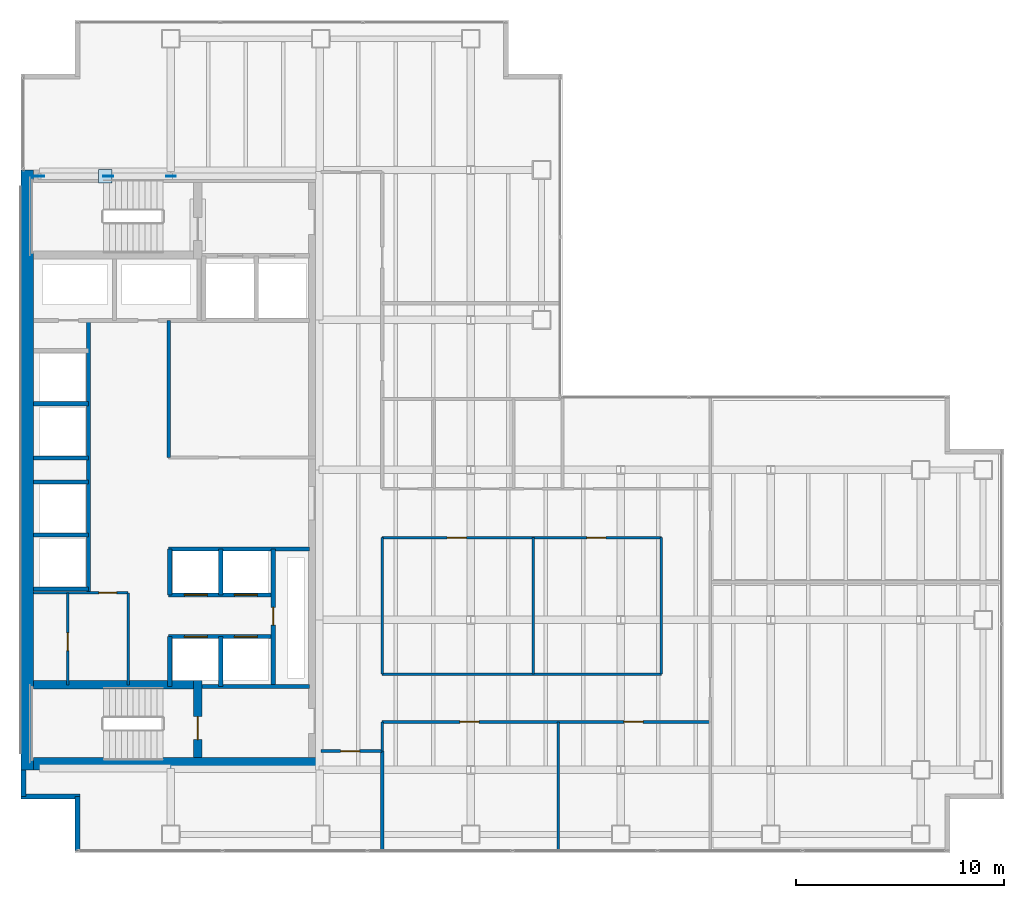
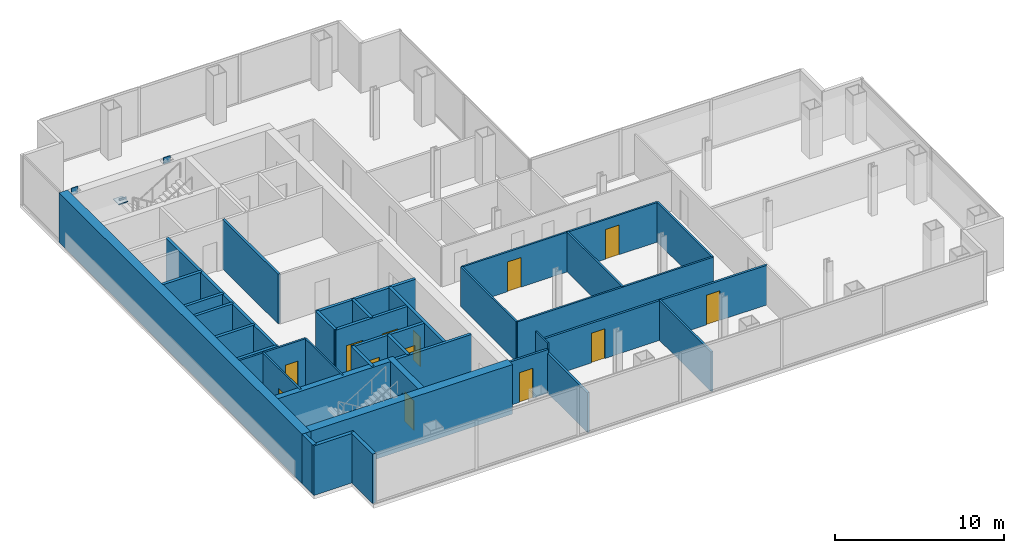
# One storey, part 20 of 23: 36 walls, 13 doors, 4 plates, 13 openings.
"""IFC4 building model written with IfcOpenShell, lengths in metres."""

from ifc_helpers import new_model, si_unit, direction, frame, frame_2d, origin, origin_2d, place, context, subcontext, project, spatial, rectangle, extrude, material, layer, layer_set, type_object, element, fill, save


model = new_model("IFC4")

# Units and contexts
model_context = context("Model", 3, precision=1e-05, world=origin(), true_north=direction((0.0, 1.0)))
body_context = subcontext(model_context, "Body", "Model", "MODEL_VIEW")
ifc_project = project(units=[si_unit("LENGTHUNIT", "METRE"), si_unit("AREAUNIT", "SQUARE_METRE"), si_unit("VOLUMEUNIT", "CUBIC_METRE"), si_unit("PLANEANGLEUNIT", "RADIAN"), si_unit("MASSUNIT", "GRAM", prefix="KILO")], contexts=[model_context])

# Site, building, storey
site_placement = place(None, origin())
site = spatial("IfcSite", under=ifc_project, at=site_placement, CompositionType="ELEMENT")
building_placement = place(site_placement, origin())
building = spatial("IfcBuilding", under=site, at=building_placement, Name="Cobrela Telecom Tower", CompositionType="ELEMENT")
storey_placement = place(building_placement, frame((0.0, 0.0, 140.699951171875)))
storey = spatial("IfcBuildingStorey", under=building, at=storey_placement, Name="L35", CompositionType="ELEMENT", Elevation=140.699951171875)

# Plates
ifc_material_1 = material(Name="Steel ASTM A572 Grade 50", Category="steel")
ifc_layer_1 = layer(ifc_material_1, 0.0419921875)
ifc_layer_set_1 = layer_set([ifc_layer_1], Name="Steel ASTM A572 Grade 50")
plate_type = type_object("IfcPlateType", Name="PLT-NODE-ND1", PredefinedType="USERDEFINED", material=ifc_layer_set_1)
for number, where, z_axis, x_axis, name in (
    (1, (7.199951171875, 35.699951171875, 3.39013671875), (0.0, 0.0, 1.0), (1.0, 0.0, 0.0), "Steel node plate PLT-MBR-EXO-L35-N1-A-1"),
    (2, (4.1953125, 35.699951171875, 1.4755859375), (0.0, 0.0, 1.0), (-1.0, 0.0, 0.0), "Steel node plate PLT-MBR-EXO-L35-N1-B1-1"),
    (3, (0.89990234375, 35.699951171875, 3.39013671875), (0.0, 0.0, 1.0), (-1.0, 0.0, 0.0), "Steel node plate PLT-MBR-EXO-L35-N1-B2-1"),
):
    element("IfcPlate", number, at=place(storey_placement, frame(where, z_axis=z_axis, x_axis=x_axis)), inside=storey, type_object=plate_type, Name=name, ObjectType="GUSSET PLATE", PredefinedType="USERDEFINED", context=body_context, shape_type="SweptSolid", body=[
        extrude(rectangle(XDim=0.4599609375, YDim=0.044921875, at=origin_2d()), origin(), (0.0, 0.0, 1.0), 0.4599609375),
    ])
plate_placement = place(storey_placement, frame((4.050048828125, 35.699951171875, 1.767578125), z_axis=(0.0, 0.0, 1.0), x_axis=(1.0, 0.0, 0.0)))
element("IfcPlate", 4, at=plate_placement, inside=storey, type_object=plate_type, Name="L35 Core Flange Steel X-Brace Central X-Crossing Gusset Plate", ObjectType="GUSSET PLATE", PredefinedType="USERDEFINED", context=body_context, shape_type="SweptSolid", body=[
    extrude(rectangle(XDim=0.64990234375, YDim=0.64990234375, at=origin_2d()), origin(), (0.0, 0.0, 1.0), 0.044921875),
])

# Walls
ifc_material_2 = material(Name="Concrete C50/60", Category="concrete")
ifc_layer_2 = layer(ifc_material_2, 0.60009765625)
ifc_layer_set_2 = layer_set([ifc_layer_2], Name="Concrete C50/60")
wall_type_1 = type_object("IfcWallType", Name="WALL-CORE-C50-600", PredefinedType="SHEAR", material=ifc_layer_set_2)
wall_1_placement = place(storey_placement, frame((0.300048828125, 7.199951171875, 0.0), z_axis=(0.0, 0.0, 1.0), x_axis=(0.0, 1.0, 0.0)))
element("IfcWall", 5, at=wall_1_placement, inside=storey, type_object=wall_type_1, Name="L35 West Core Shear Wall", PredefinedType="SHEAR", context=body_context, shape_type="SweptSolid", body=[
    extrude(rectangle(XDim=28.800048828125, YDim=0.60009765625, at=frame_2d((14.39990234375, 0.0))), origin(), (0.0, 0.0, 1.0), 3.580078125),
])
wall_2_placement = place(storey_placement, frame((0.60009765625, 7.5, 0.0), z_axis=(0.0, 0.0, 1.0), x_axis=(1.0, 0.0, 0.0)))
element("IfcWall", 6, at=wall_2_placement, inside=storey, type_object=wall_type_1, Name="L35 South Core Shear Wall", PredefinedType="SHEAR", context=body_context, shape_type="SweptSolid", body=[
    extrude(rectangle(XDim=13.7998046875, YDim=0.60009765625, at=frame_2d((6.89990234375, 0.0))), origin(), (0.0, 0.0, 1.0), 3.580078125),
])
ifc_material_3 = material(Name="Concrete C40/50", Category="concrete")
ifc_layer_3 = layer(ifc_material_3, 0.239990234375)
ifc_layer_set_3 = layer_set([ifc_layer_3], Name="Concrete C40/50")
wall_type_2 = type_object("IfcWallType", Name="WALL-EXT-300", PredefinedType="STANDARD", material=ifc_layer_set_3)
wall_3_placement = place(storey_placement, frame((2.7099609375, 3.320068359375, 0.0), z_axis=(0.0, 0.0, 1.0), x_axis=(0.0, 1.0, 0.0)))
element("IfcWall", 7, at=wall_3_placement, inside=storey, type_object=wall_type_2, Name="L35 Insulated Facade Wall 01", PredefinedType="STANDARD", context=body_context, shape_type="SweptSolid", body=[
    extrude(rectangle(XDim=2.58984375, YDim=0.239990234375, at=frame_2d((1.294921875, 0.0))), origin(), (0.0, 0.0, 1.0), 3.580078125),
])
wall_4_placement = place(storey_placement, frame((2.830078125, 5.909912109375, 0.0), z_axis=(0.0, 0.0, 1.0), x_axis=(-1.0, 0.0, 0.0)))
element("IfcWall", 8, at=wall_4_placement, inside=storey, type_object=wall_type_2, Name="L35 Insulated Facade Wall 02", PredefinedType="STANDARD", context=body_context, shape_type="SweptSolid", body=[
    extrude(rectangle(XDim=2.830078125, YDim=0.239990234375, at=frame_2d((1.4150390625, 0.0))), origin(), (0.0, 0.0, 1.0), 3.580078125),
])
wall_5_placement = place(storey_placement, frame((0.1201171875, 5.909912109375, 0.0), z_axis=(0.0, 0.0, 1.0), x_axis=(0.0, 1.0, 0.0)))
element("IfcWall", 9, at=wall_5_placement, inside=storey, type_object=wall_type_2, Name="L35 Insulated Facade Wall 03", PredefinedType="STANDARD", context=body_context, shape_type="SweptSolid", body=[
    extrude(rectangle(XDim=1.2900390625, YDim=0.239990234375, at=frame_2d((0.64501953125, 0.0))), origin(), (0.0, 0.0, 1.0), 3.580078125),
])
ifc_material_4 = material(Name="Fire-Rated Gypsum Plasterboard")
ifc_layer_4 = layer(ifc_material_4, 0.110107421875)
ifc_layer_set_4 = layer_set([ifc_layer_4], Name="Fire-Rated Gypsum Plasterboard")
wall_type_3 = type_object("IfcWallType", Name="WALL-PART-110", PredefinedType="PARTITIONING", material=ifc_layer_set_4)
wall_6_placement = place(storey_placement, frame((5.14990234375, 11.280029296875, 0.0), z_axis=(0.0, 0.0, 1.0), x_axis=(0.0, 1.0, 0.0)))
element("IfcWall", 10, at=wall_6_placement, inside=storey, type_object=wall_type_3, Name="L35 Interior Partition CW-FLEX-E", PredefinedType="PARTITIONING", context=body_context, shape_type="SweptSolid", body=[
    extrude(rectangle(XDim=4.419921875, YDim=0.110107421875, at=frame_2d((2.2099609375, 0.0))), origin(), (0.0, 0.0, 1.0), 3.580078125),
])
wall_7_placement = place(storey_placement, frame((17.35009765625, 8.10009765625, 0.0), z_axis=(0.0, 0.0, 1.0), x_axis=(0.0, 1.0, 0.0)))
element("IfcWall", 11, at=wall_7_placement, inside=storey, type_object=wall_type_3, Name="L35 Interior Partition W-UW-E1", PredefinedType="PARTITIONING", context=body_context, shape_type="SweptSolid", body=[
    extrude(rectangle(XDim=1.39990234375, YDim=0.110107421875, at=frame_2d((0.699951171875, 0.0))), origin(), (0.0, 0.0, 1.0), 3.580078125),
])

# Wall, opening, door
ifc_layer_5 = layer(ifc_material_4, 0.125)
ifc_layer_set_5 = layer_set([ifc_layer_5], Name="Fire-Rated Gypsum Plasterboard")
wall_type_4 = type_object("IfcWallType", Name="WALL-PART-125", PredefinedType="PARTITIONING", material=ifc_layer_set_5)
wall_8_placement = place(storey_placement, frame((2.25, 11.280029296875, 0.0), z_axis=(0.0, 0.0, 1.0), x_axis=(0.0, 1.0, 0.0)))
wall_8 = element("IfcWall", 12, at=wall_8_placement, inside=storey, type_object=wall_type_4, Name="L35 Interior Partition CW-FK0-V", PredefinedType="PARTITIONING", context=body_context, shape_type="SweptSolid", body=[
    extrude(rectangle(XDim=4.419921875, YDim=0.125, at=frame_2d((2.2099609375, 0.0))), origin(), (0.0, 0.0, 1.0), 3.580078125),
])
opening_1_placement = place(wall_8_placement, frame((1.64990234375, 0.0, 0.0)))
opening_1 = element("IfcOpeningElement", 13, at=opening_1_placement, cuts=wall_8, Name="Opening DR-11", PredefinedType="OPENING", context=body_context, shape_type="SweptSolid", body=[
    extrude(rectangle(XDim=0.85009765625, YDim=2.14990234375, at=frame_2d((0.425048828125, 1.074951171875))), frame((0.0, 0.074462890625, 0.0), z_axis=(0.0, -1.0, 0.0), x_axis=(1.0, 0.0, 0.0)), (0.0, 0.0, 1.0), 0.14892578125),
])
ifc_material_5 = material(Name="Solid Engineered Oak Timber", Category="wood")
door_type_1 = type_object("IfcDoorType", Name="DOOR-INT-850", OperationType="SINGLE_SWING_LEFT", PredefinedType="DOOR", material=ifc_material_5)
door_1_placement = place(opening_1_placement, origin())
door_1 = element("IfcDoor", 14, at=door_1_placement, inside=storey, type_object=door_type_1, Name="L35 Door DR-11", OperationType="SINGLE_SWING_LEFT", OverallHeight=2.14990234375, OverallWidth=0.85009765625, PredefinedType="DOOR", context=body_context, shape_type="SweptSolid", body=[
    extrude(rectangle(XDim=0.85009765625, YDim=2.14990234375, at=frame_2d((0.425048828125, 1.074951171875))), frame((0.0, 0.02490234375, 0.0), z_axis=(0.0, -1.0, 0.0), x_axis=(1.0, 0.0, 0.0)), (0.0, 0.0, 1.0), 0.050048828125),
])
fill(opening_1, door_1)

# Walls
wall_9_placement = place(storey_placement, frame((17.35009765625, 11.800048828125, 0.0), z_axis=(0.0, 0.0, 1.0), x_axis=(0.0, 1.0, 0.0)))
element("IfcWall", 15, at=wall_9_placement, inside=storey, type_object=wall_type_4, Name="L35 Interior Partition W-ISL-W", PredefinedType="PARTITIONING", context=body_context, shape_type="SweptSolid", body=[
    extrude(rectangle(XDim=6.550048828125, YDim=0.125, at=frame_2d((3.27490234375, 0.0))), origin(), (0.0, 0.0, 1.0), 2.869140625),
])
wall_10_placement = place(storey_placement, frame((17.35009765625, 11.800048828125, 0.0), z_axis=(0.0, 0.0, 1.0), x_axis=(1.0, 0.0, 0.0)))
element("IfcWall", 16, at=wall_10_placement, inside=storey, type_object=wall_type_4, Name="L35 Interior Partition W-ISL-S", PredefinedType="PARTITIONING", context=body_context, shape_type="SweptSolid", body=[
    extrude(rectangle(XDim=13.39990234375, YDim=0.125, at=frame_2d((6.699951171875, 0.0))), origin(), (0.0, 0.0, 1.0), 2.869140625),
])
wall_11_placement = place(storey_placement, frame((30.75, 11.800048828125, 0.0), z_axis=(0.0, 0.0, 1.0), x_axis=(0.0, 1.0, 0.0)))
element("IfcWall", 17, at=wall_11_placement, inside=storey, type_object=wall_type_4, Name="L35 Interior Partition W-ISL-E", PredefinedType="PARTITIONING", context=body_context, shape_type="SweptSolid", body=[
    extrude(rectangle(XDim=6.550048828125, YDim=0.125, at=frame_2d((3.27490234375, 0.0))), origin(), (0.0, 0.0, 1.0), 2.869140625),
])

# Wall, openings, doors
wall_12_placement = place(storey_placement, frame((17.35009765625, 18.35009765625, 0.0), z_axis=(0.0, 0.0, 1.0), x_axis=(1.0, 0.0, 0.0)))
wall_12 = element("IfcWall", 18, at=wall_12_placement, inside=storey, type_object=wall_type_4, Name="L35 Interior Partition W-ISL-N", PredefinedType="PARTITIONING", context=body_context, shape_type="SweptSolid", body=[
    extrude(rectangle(XDim=13.39990234375, YDim=0.125, at=frame_2d((6.699951171875, 0.0))), origin(), (0.0, 0.0, 1.0), 2.869140625),
])
opening_2_placement = place(wall_12_placement, frame((3.1201171875, 0.0, 0.0)))
opening_2 = element("IfcOpeningElement", 19, at=opening_2_placement, cuts=wall_12, Name="Opening DR-45", PredefinedType="OPENING", context=body_context, shape_type="SweptSolid", body=[
    extrude(rectangle(XDim=0.919921875, YDim=2.14990234375, at=frame_2d((0.4599609375, 1.074951171875))), frame((0.0, 0.074462890625, 0.0), z_axis=(0.0, -1.0, 0.0), x_axis=(1.0, 0.0, 0.0)), (0.0, 0.0, 1.0), 0.14892578125),
])
opening_3_placement = place(wall_12_placement, frame((9.820068359375, 0.0, 0.0)))
opening_3 = element("IfcOpeningElement", 20, at=opening_3_placement, cuts=wall_12, Name="Opening DR-45", PredefinedType="OPENING", context=body_context, shape_type="SweptSolid", body=[
    extrude(rectangle(XDim=0.919921875, YDim=2.14990234375, at=frame_2d((0.4599609375, 1.074951171875))), frame((0.0, 0.074462890625, 0.0), z_axis=(0.0, -1.0, 0.0), x_axis=(1.0, 0.0, 0.0)), (0.0, 0.0, 1.0), 0.14892578125),
])
door_type_2 = type_object("IfcDoorType", Name="DOOR-INT-920", OperationType="SINGLE_SWING_LEFT", PredefinedType="DOOR", material=ifc_material_5)
door_2_placement = place(opening_2_placement, origin())
door_2 = element("IfcDoor", 21, at=door_2_placement, inside=storey, type_object=door_type_2, Name="L35 Door DR-45", OperationType="SINGLE_SWING_LEFT", OverallHeight=2.14990234375, OverallWidth=0.919921875, PredefinedType="DOOR", context=body_context, shape_type="SweptSolid", body=[
    extrude(rectangle(XDim=0.919921875, YDim=2.14990234375, at=frame_2d((0.4599609375, 1.074951171875))), frame((0.0, 0.02490234375, 0.0), z_axis=(0.0, -1.0, 0.0), x_axis=(1.0, 0.0, 0.0)), (0.0, 0.0, 1.0), 0.050048828125),
])
fill(opening_2, door_2)
door_3_placement = place(opening_3_placement, origin())
door_3 = element("IfcDoor", 22, at=door_3_placement, inside=storey, type_object=door_type_2, Name="L35 Door DR-45", OperationType="SINGLE_SWING_RIGHT", OverallHeight=2.14990234375, OverallWidth=0.919921875, PredefinedType="DOOR", context=body_context, shape_type="SweptSolid", body=[
    extrude(rectangle(XDim=0.919921875, YDim=2.14990234375, at=frame_2d((0.4599609375, 1.074951171875))), frame((0.0, 0.02490234375, 0.0), z_axis=(0.0, -1.0, 0.0), x_axis=(1.0, 0.0, 0.0)), (0.0, 0.0, 1.0), 0.050048828125),
])
fill(opening_3, door_3)

# Wall
wall_13_placement = place(storey_placement, frame((24.60009765625, 11.800048828125, 0.0), z_axis=(0.0, 0.0, 1.0), x_axis=(0.0, 1.0, 0.0)))
element("IfcWall", 23, at=wall_13_placement, inside=storey, type_object=wall_type_4, Name="L35 Interior Partition W-ISLV-1", PredefinedType="PARTITIONING", context=body_context, shape_type="SweptSolid", body=[
    extrude(rectangle(XDim=6.550048828125, YDim=0.125, at=frame_2d((3.27490234375, 0.0))), origin(), (0.0, 0.0, 1.0), 2.869140625),
])

# Wall, opening, door
ifc_layer_6 = layer(ifc_material_4, 0.135009765625)
ifc_layer_set_6 = layer_set([ifc_layer_6], Name="Fire-Rated Gypsum Plasterboard")
wall_type_5 = type_object("IfcWallType", Name="WALL-PART-135", PredefinedType="PARTITIONING", material=ifc_layer_set_6)
wall_14_placement = place(storey_placement, frame((0.60009765625, 15.699951171875, 0.0), z_axis=(0.0, 0.0, 1.0), x_axis=(1.0, 0.0, 0.0)))
wall_14 = element("IfcWall", 24, at=wall_14_placement, inside=storey, type_object=wall_type_5, Name="L35 Interior Partition CW-FLEX-N", PredefinedType="PARTITIONING", context=body_context, shape_type="SweptSolid", body=[
    extrude(rectangle(XDim=4.5498046875, YDim=0.135009765625, at=frame_2d((2.27490234375, 0.0))), origin(), (0.0, 0.0, 1.0), 3.580078125),
])
opening_4_placement = place(wall_14_placement, frame((3.14990234375, 0.0, 0.0)))
opening_4 = element("IfcOpeningElement", 25, at=opening_4_placement, cuts=wall_14, Name="Opening DR-11", PredefinedType="OPENING", context=body_context, shape_type="SweptSolid", body=[
    extrude(rectangle(XDim=0.85009765625, YDim=2.14990234375, at=frame_2d((0.425048828125, 1.074951171875))), frame((0.0, 0.07958984375, 0.0), z_axis=(0.0, -1.0, 0.0), x_axis=(1.0, 0.0, 0.0)), (0.0, 0.0, 1.0), 0.158935546875),
])
door_4_placement = place(opening_4_placement, origin())
door_4 = element("IfcDoor", 26, at=door_4_placement, inside=storey, type_object=door_type_1, Name="L35 Door DR-11", OperationType="SINGLE_SWING_RIGHT", OverallHeight=2.14990234375, OverallWidth=0.85009765625, PredefinedType="DOOR", context=body_context, shape_type="SweptSolid", body=[
    extrude(rectangle(XDim=0.85009765625, YDim=2.14990234375, at=frame_2d((0.425048828125, 1.074951171875))), frame((0.0, 0.02490234375, 0.0), z_axis=(0.0, -1.0, 0.0), x_axis=(1.0, 0.0, 0.0)), (0.0, 0.0, 1.0), 0.050048828125),
])
fill(opening_4, door_4)

# Wall
wall_15_placement = place(storey_placement, frame((25.800048828125, 3.320068359375, 0.0), z_axis=(0.0, 0.0, 1.0), x_axis=(0.0, 1.0, 0.0)))
element("IfcWall", 27, at=wall_15_placement, inside=storey, type_object=wall_type_5, Name="L35 Interior Partition W-USV-1", PredefinedType="PARTITIONING", context=body_context, shape_type="SweptSolid", body=[
    extrude(rectangle(XDim=6.179931640625, YDim=0.135009765625, at=frame_2d((3.08984375, 0.0))), origin(), (0.0, 0.0, 1.0), 2.869140625),
])

# Wall, opening, door
ifc_layer_7 = layer(ifc_material_4, 0.14990234375)
ifc_layer_set_7 = layer_set([ifc_layer_7], Name="Fire-Rated Gypsum Plasterboard")
wall_type_6 = type_object("IfcWallType", Name="WALL-PART-150", PredefinedType="PARTITIONING", material=ifc_layer_set_7)
wall_16_placement = place(storey_placement, frame((14.39990234375, 8.10009765625, 0.0), z_axis=(0.0, 0.0, 1.0), x_axis=(1.0, 0.0, 0.0)))
wall_16 = element("IfcWall", 28, at=wall_16_placement, inside=storey, type_object=wall_type_6, Name="L35 Interior Partition W-UW-S0", PredefinedType="PARTITIONING", context=body_context, shape_type="SweptSolid", body=[
    extrude(rectangle(XDim=2.9501953125, YDim=0.14990234375, at=frame_2d((1.47509765625, 0.0))), origin(), (0.0, 0.0, 1.0), 3.14794921875),
])
opening_5_placement = place(wall_16_placement, frame((0.949951171875, 0.0, 0.0)))
opening_5 = element("IfcOpeningElement", 29, at=opening_5_placement, cuts=wall_16, Name="Opening DR-45", PredefinedType="OPENING", context=body_context, shape_type="SweptSolid", body=[
    extrude(rectangle(XDim=0.919921875, YDim=2.14990234375, at=frame_2d((0.4599609375, 1.074951171875))), frame((0.0, 0.0869140625, 0.0), z_axis=(0.0, -1.0, 0.0), x_axis=(1.0, 0.0, 0.0)), (0.0, 0.0, 1.0), 0.173828125),
])
door_5_placement = place(opening_5_placement, origin())
door_5 = element("IfcDoor", 30, at=door_5_placement, inside=storey, type_object=door_type_2, Name="L35 Door DR-45", OperationType="SINGLE_SWING_RIGHT", OverallHeight=2.14990234375, OverallWidth=0.919921875, PredefinedType="DOOR", context=body_context, shape_type="SweptSolid", body=[
    extrude(rectangle(XDim=0.919921875, YDim=2.14990234375, at=frame_2d((0.4599609375, 1.074951171875))), frame((0.0, 0.02490234375, 0.0), z_axis=(0.0, -1.0, 0.0), x_axis=(1.0, 0.0, 0.0)), (0.0, 0.0, 1.0), 0.050048828125),
])
fill(opening_5, door_5)

# Wall, openings, doors
wall_17_placement = place(storey_placement, frame((17.35009765625, 9.5, 0.0), z_axis=(0.0, 0.0, 1.0), x_axis=(1.0, 0.0, 0.0)))
wall_17 = element("IfcWall", 31, at=wall_17_placement, inside=storey, type_object=wall_type_6, Name="L35 Interior Partition W-US-S", PredefinedType="PARTITIONING", context=body_context, shape_type="SweptSolid", body=[
    extrude(rectangle(XDim=15.75, YDim=0.14990234375, at=frame_2d((7.875, 0.0))), origin(), (0.0, 0.0, 1.0), 2.869140625),
])
opening_6_placement = place(wall_17_placement, frame((3.72998046875, 0.0, 0.0)))
opening_6 = element("IfcOpeningElement", 32, at=opening_6_placement, cuts=wall_17, Name="Opening DR-45", PredefinedType="OPENING", context=body_context, shape_type="SweptSolid", body=[
    extrude(rectangle(XDim=0.919921875, YDim=2.14990234375, at=frame_2d((0.4599609375, 1.074951171875))), frame((0.0, 0.0869140625, 0.0), z_axis=(0.0, -1.0, 0.0), x_axis=(1.0, 0.0, 0.0)), (0.0, 0.0, 1.0), 0.173828125),
])
opening_7_placement = place(wall_17_placement, frame((11.60009765625, 0.0, 0.0)))
opening_7 = element("IfcOpeningElement", 33, at=opening_7_placement, cuts=wall_17, Name="Opening DR-45", PredefinedType="OPENING", context=body_context, shape_type="SweptSolid", body=[
    extrude(rectangle(XDim=0.919921875, YDim=2.14990234375, at=frame_2d((0.4599609375, 1.074951171875))), frame((0.0, 0.0869140625, 0.0), z_axis=(0.0, -1.0, 0.0), x_axis=(1.0, 0.0, 0.0)), (0.0, 0.0, 1.0), 0.173828125),
])
door_6_placement = place(opening_6_placement, origin())
door_6 = element("IfcDoor", 34, at=door_6_placement, inside=storey, type_object=door_type_2, Name="L35 Door DR-45", OperationType="SINGLE_SWING_LEFT", OverallHeight=2.14990234375, OverallWidth=0.919921875, PredefinedType="DOOR", context=body_context, shape_type="SweptSolid", body=[
    extrude(rectangle(XDim=0.919921875, YDim=2.14990234375, at=frame_2d((0.4599609375, 1.074951171875))), frame((0.0, 0.02490234375, 0.0), z_axis=(0.0, -1.0, 0.0), x_axis=(1.0, 0.0, 0.0)), (0.0, 0.0, 1.0), 0.050048828125),
])
fill(opening_6, door_6)
door_7_placement = place(opening_7_placement, origin())
door_7 = element("IfcDoor", 35, at=door_7_placement, inside=storey, type_object=door_type_2, Name="L35 Door DR-45", OperationType="SINGLE_SWING_RIGHT", OverallHeight=2.14990234375, OverallWidth=0.919921875, PredefinedType="DOOR", context=body_context, shape_type="SweptSolid", body=[
    extrude(rectangle(XDim=0.919921875, YDim=2.14990234375, at=frame_2d((0.4599609375, 1.074951171875))), frame((0.0, 0.02490234375, 0.0), z_axis=(0.0, -1.0, 0.0), x_axis=(1.0, 0.0, 0.0)), (0.0, 0.0, 1.0), 0.050048828125),
])
fill(opening_7, door_7)

# Walls
wall_18_placement = place(storey_placement, frame((17.35009765625, 3.320068359375, 0.0), z_axis=(0.0, 0.0, 1.0), x_axis=(0.0, 1.0, 0.0)))
element("IfcWall", 36, at=wall_18_placement, inside=storey, type_object=wall_type_6, Name="L35 Interior Partition W-USW-E", PredefinedType="PARTITIONING", context=body_context, shape_type="SweptSolid", body=[
    extrude(rectangle(XDim=4.780029296875, YDim=0.14990234375, at=frame_2d((2.39013671875, 0.0))), origin(), (0.0, 0.0, 1.0), 2.869140625),
])
ifc_layer_8 = layer(ifc_material_4, 0.159912109375)
ifc_layer_set_8 = layer_set([ifc_layer_8], Name="Fire-Rated Gypsum Plasterboard")
wall_type_7 = type_object("IfcWallType", Name="WALL-PART-160", PredefinedType="PARTITIONING", material=ifc_layer_set_8)
wall_19_placement = place(storey_placement, frame((7.10009765625, 22.199951171875, 0.0), z_axis=(0.0, 0.0, 1.0), x_axis=(0.0, 1.0, 0.0)))
element("IfcWall", 37, at=wall_19_placement, inside=storey, type_object=wall_type_7, Name="L35 Interior Partition CW-RECL-W", PredefinedType="PARTITIONING", context=body_context, shape_type="SweptSolid", body=[
    extrude(rectangle(XDim=6.580078125, YDim=0.159912109375, at=frame_2d((3.2900390625, 0.0))), origin(), (0.0, 0.0, 1.0), 3.580078125),
])
ifc_layer_9 = layer(ifc_material_4, 0.199951171875)
ifc_layer_set_9 = layer_set([ifc_layer_9], Name="Fire-Rated Gypsum Plasterboard")
wall_type_8 = type_object("IfcWallType", Name="WALL-SHAFT-200", PredefinedType="PARTITIONING", material=ifc_layer_set_9)
wall_20_placement = place(storey_placement, frame((8.699951171875, 11.199951171875, 0.0), z_axis=(0.0, 0.0, 1.0), x_axis=(1.0, 0.0, 0.0)))
element("IfcWall", 38, at=wall_20_placement, inside=storey, type_object=wall_type_8, Name="L35 Shaft Enclosure CW-ST2L-N", PredefinedType="PARTITIONING", context=body_context, shape_type="SweptSolid", body=[
    extrude(rectangle(XDim=5.150146484375, YDim=0.199951171875, at=frame_2d((2.5751953125, 0.0))), origin(), (0.0, 0.0, 1.0), 3.580078125),
])
wall_21_placement = place(storey_placement, frame((3.25, 15.699951171875, 0.0), z_axis=(0.0, 0.0, 1.0), x_axis=(0.0, 1.0, 0.0)))
element("IfcWall", 39, at=wall_21_placement, inside=storey, type_object=wall_type_8, Name="L35 Shaft Enclosure CW-PLH-E", PredefinedType="PARTITIONING", context=body_context, shape_type="SweptSolid", body=[
    extrude(rectangle(XDim=13.080078125, YDim=0.199951171875, at=frame_2d((6.5400390625, 0.0))), origin(), (0.0, 0.0, 1.0), 3.580078125),
])
for number, where, z_axis, x_axis, name in (
    (40, (0.60009765625, 15.8798828125, 0.0), (0.0, 0.0, 1.0), (1.0, 0.0, 0.0), "L35 Shaft Enclosure CW-PLH-D9"),
    (41, (0.60009765625, 18.47998046875, 0.0), (0.0, 0.0, 1.0), (1.0, 0.0, 0.0), "L35 Shaft Enclosure CW-PLH-D10"),
    (42, (0.60009765625, 22.179931640625, 0.0), (0.0, 0.0, 1.0), (1.0, 0.0, 0.0), "L35 Shaft Enclosure CW-PLH-D11"),
    (43, (0.60009765625, 24.780029296875, 0.0), (0.0, 0.0, 1.0), (1.0, 0.0, 0.0), "L35 Shaft Enclosure CW-PLH-D12"),
    (44, (0.60009765625, 21.02001953125, 0.0), (0.0, 0.0, 1.0), (1.0, 0.0, 0.0), "L35 Shaft Enclosure CW-PLH-MID"),
):
    element("IfcWall", number, at=place(storey_placement, frame(where, z_axis=z_axis, x_axis=x_axis)), inside=storey, type_object=wall_type_8, Name=name, PredefinedType="PARTITIONING", context=body_context, shape_type="SweptSolid", body=[
        extrude(rectangle(XDim=2.64990234375, YDim=0.199951171875, at=frame_2d((1.324951171875, 0.0))), origin(), (0.0, 0.0, 1.0), 3.580078125),
    ])
wall_22_placement = place(storey_placement, frame((7.10009765625, 17.800048828125, 0.0), z_axis=(0.0, 0.0, 1.0), x_axis=(1.0, 0.0, 0.0)))
element("IfcWall", 45, at=wall_22_placement, inside=storey, type_object=wall_type_8, Name="L35 Shaft Enclosure CW-PLM-T0", PredefinedType="PARTITIONING", context=body_context, shape_type="SweptSolid", body=[
    extrude(rectangle(XDim=6.75, YDim=0.199951171875, at=frame_2d((3.375, 0.0))), origin(), (0.0, 0.0, 1.0), 3.580078125),
])

# Wall, openings, doors
wall_23_placement = place(storey_placement, frame((7.10009765625, 15.60009765625, 0.0), z_axis=(0.0, 0.0, 1.0), x_axis=(1.0, 0.0, 0.0)))
wall_23 = element("IfcWall", 46, at=wall_23_placement, inside=storey, type_object=wall_type_8, Name="L35 Shaft Enclosure CW-PLM-N", PredefinedType="PARTITIONING", context=body_context, shape_type="SweptSolid", body=[
    extrude(rectangle(XDim=5.02001953125, YDim=0.199951171875, at=frame_2d((2.510009765625, 0.0))), origin(), (0.0, 0.0, 1.0), 3.580078125),
])
opening_8_placement = place(wall_23_placement, frame((0.75, 0.0, 0.0)))
opening_8 = element("IfcOpeningElement", 47, at=opening_8_placement, cuts=wall_23, Name="Opening LD-1", PredefinedType="OPENING", context=body_context, shape_type="SweptSolid", body=[
    extrude(rectangle(XDim=1.10009765625, YDim=2.199951171875, at=frame_2d((0.550048828125, 1.10009765625))), frame((0.0, 0.11181640625, 0.0), z_axis=(0.0, -1.0, 0.0), x_axis=(1.0, 0.0, 0.0)), (0.0, 0.0, 1.0), 0.223876953125),
])
opening_9_placement = place(wall_23_placement, frame((3.14990234375, 0.0, 0.0)))
opening_9 = element("IfcOpeningElement", 48, at=opening_9_placement, cuts=wall_23, Name="Opening LD-1", PredefinedType="OPENING", context=body_context, shape_type="SweptSolid", body=[
    extrude(rectangle(XDim=1.10009765625, YDim=2.199951171875, at=frame_2d((0.550048828125, 1.10009765625))), frame((0.0, 0.11181640625, 0.0), z_axis=(0.0, -1.0, 0.0), x_axis=(1.0, 0.0, 0.0)), (0.0, 0.0, 1.0), 0.223876953125),
])
ifc_material_6 = material(Name="Steel ASTM A36", Category="steel")
door_type_3 = type_object("IfcDoorType", Name="DOOR-LD-PL", OperationType="SINGLE_SWING_LEFT", PredefinedType="DOOR", material=ifc_material_6)
door_8_placement = place(opening_8_placement, origin())
door_8 = element("IfcDoor", 49, at=door_8_placement, inside=storey, type_object=door_type_3, Name="L35 Lift Landing Door LD-1", OperationType="DOUBLE_DOOR_SLIDING", OverallHeight=2.199951171875, OverallWidth=1.10009765625, PredefinedType="DOOR", context=body_context, shape_type="SweptSolid", body=[
    extrude(rectangle(XDim=1.10009765625, YDim=2.199951171875, at=frame_2d((0.550048828125, 1.10009765625))), frame((0.0, 0.02490234375, 0.0), z_axis=(0.0, -1.0, 0.0), x_axis=(1.0, 0.0, 0.0)), (0.0, 0.0, 1.0), 0.050048828125),
])
fill(opening_8, door_8)
door_9_placement = place(opening_9_placement, origin())
door_9 = element("IfcDoor", 50, at=door_9_placement, inside=storey, type_object=door_type_3, Name="L35 Lift Landing Door LD-1", OperationType="DOUBLE_DOOR_SLIDING", OverallHeight=2.199951171875, OverallWidth=1.10009765625, PredefinedType="DOOR", context=body_context, shape_type="SweptSolid", body=[
    extrude(rectangle(XDim=1.10009765625, YDim=2.199951171875, at=frame_2d((0.550048828125, 1.10009765625))), frame((0.0, 0.02490234375, 0.0), z_axis=(0.0, -1.0, 0.0), x_axis=(1.0, 0.0, 0.0)), (0.0, 0.0, 1.0), 0.050048828125),
])
fill(opening_9, door_9)

wall_24_placement = place(storey_placement, frame((7.10009765625, 13.60009765625, 0.0), z_axis=(0.0, 0.0, 1.0), x_axis=(1.0, 0.0, 0.0)))
wall_24 = element("IfcWall", 51, at=wall_24_placement, inside=storey, type_object=wall_type_8, Name="L35 Shaft Enclosure CW-PLM-S", PredefinedType="PARTITIONING", context=body_context, shape_type="SweptSolid", body=[
    extrude(rectangle(XDim=5.02001953125, YDim=0.199951171875, at=frame_2d((2.510009765625, 0.0))), origin(), (0.0, 0.0, 1.0), 3.580078125),
])
opening_10_placement = place(wall_24_placement, frame((0.75, 0.0, 0.0)))
opening_10 = element("IfcOpeningElement", 52, at=opening_10_placement, cuts=wall_24, Name="Opening LD-1", PredefinedType="OPENING", context=body_context, shape_type="SweptSolid", body=[
    extrude(rectangle(XDim=1.10009765625, YDim=2.199951171875, at=frame_2d((0.550048828125, 1.10009765625))), frame((0.0, 0.11181640625, 0.0), z_axis=(0.0, -1.0, 0.0), x_axis=(1.0, 0.0, 0.0)), (0.0, 0.0, 1.0), 0.223876953125),
])
opening_11_placement = place(wall_24_placement, frame((3.14990234375, 0.0, 0.0)))
opening_11 = element("IfcOpeningElement", 53, at=opening_11_placement, cuts=wall_24, Name="Opening LD-1", PredefinedType="OPENING", context=body_context, shape_type="SweptSolid", body=[
    extrude(rectangle(XDim=1.10009765625, YDim=2.199951171875, at=frame_2d((0.550048828125, 1.10009765625))), frame((0.0, 0.11181640625, 0.0), z_axis=(0.0, -1.0, 0.0), x_axis=(1.0, 0.0, 0.0)), (0.0, 0.0, 1.0), 0.223876953125),
])
door_10_placement = place(opening_10_placement, origin())
door_10 = element("IfcDoor", 54, at=door_10_placement, inside=storey, type_object=door_type_3, Name="L35 Lift Landing Door LD-1", OperationType="DOUBLE_DOOR_SLIDING", OverallHeight=2.199951171875, OverallWidth=1.10009765625, PredefinedType="DOOR", context=body_context, shape_type="SweptSolid", body=[
    extrude(rectangle(XDim=1.10009765625, YDim=2.199951171875, at=frame_2d((0.550048828125, 1.10009765625))), frame((0.0, 0.02490234375, 0.0), z_axis=(0.0, -1.0, 0.0), x_axis=(1.0, 0.0, 0.0)), (0.0, 0.0, 1.0), 0.050048828125),
])
fill(opening_10, door_10)
door_11_placement = place(opening_11_placement, origin())
door_11 = element("IfcDoor", 55, at=door_11_placement, inside=storey, type_object=door_type_3, Name="L35 Lift Landing Door LD-1", OperationType="DOUBLE_DOOR_SLIDING", OverallHeight=2.199951171875, OverallWidth=1.10009765625, PredefinedType="DOOR", context=body_context, shape_type="SweptSolid", body=[
    extrude(rectangle(XDim=1.10009765625, YDim=2.199951171875, at=frame_2d((0.550048828125, 1.10009765625))), frame((0.0, 0.02490234375, 0.0), z_axis=(0.0, -1.0, 0.0), x_axis=(1.0, 0.0, 0.0)), (0.0, 0.0, 1.0), 0.050048828125),
])
fill(opening_11, door_11)

# Walls
wall_25_placement = place(storey_placement, frame((7.14990234375, 15.60009765625, 0.0), z_axis=(0.0, 0.0, 1.0), x_axis=(0.0, 1.0, 0.0)))
element("IfcWall", 56, at=wall_25_placement, inside=storey, type_object=wall_type_8, Name="L35 Shaft Enclosure CW-PLM-V1", PredefinedType="PARTITIONING", context=body_context, shape_type="SweptSolid", body=[
    extrude(rectangle(XDim=2.199951171875, YDim=0.199951171875, at=frame_2d((1.10009765625, 0.0))), origin(), (0.0, 0.0, 1.0), 3.580078125),
])
wall_26_placement = place(storey_placement, frame((7.14990234375, 11.199951171875, 0.0), z_axis=(0.0, 0.0, 1.0), x_axis=(0.0, 1.0, 0.0)))
element("IfcWall", 57, at=wall_26_placement, inside=storey, type_object=wall_type_8, Name="L35 Shaft Enclosure CW-PLM-V1B", PredefinedType="PARTITIONING", context=body_context, shape_type="SweptSolid", body=[
    extrude(rectangle(XDim=2.400146484375, YDim=0.199951171875, at=frame_2d((1.2001953125, 0.0))), origin(), (0.0, 0.0, 1.0), 3.580078125),
])
wall_27_placement = place(storey_placement, frame((9.60009765625, 15.60009765625, 0.0), z_axis=(0.0, 0.0, 1.0), x_axis=(0.0, 1.0, 0.0)))
element("IfcWall", 58, at=wall_27_placement, inside=storey, type_object=wall_type_8, Name="L35 Shaft Enclosure CW-PLM-V2", PredefinedType="PARTITIONING", context=body_context, shape_type="SweptSolid", body=[
    extrude(rectangle(XDim=2.199951171875, YDim=0.199951171875, at=frame_2d((1.10009765625, 0.0))), origin(), (0.0, 0.0, 1.0), 3.580078125),
])
wall_28_placement = place(storey_placement, frame((9.60009765625, 11.199951171875, 0.0), z_axis=(0.0, 0.0, 1.0), x_axis=(0.0, 1.0, 0.0)))
element("IfcWall", 59, at=wall_28_placement, inside=storey, type_object=wall_type_8, Name="L35 Shaft Enclosure CW-PLM-V2B", PredefinedType="PARTITIONING", context=body_context, shape_type="SweptSolid", body=[
    extrude(rectangle(XDim=2.400146484375, YDim=0.199951171875, at=frame_2d((1.2001953125, 0.0))), origin(), (0.0, 0.0, 1.0), 3.580078125),
])

# Wall, opening, door
wall_29_placement = place(storey_placement, frame((12.1201171875, 11.199951171875, 0.0), z_axis=(0.0, 0.0, 1.0), x_axis=(0.0, 1.0, 0.0)))
wall_29 = element("IfcWall", 60, at=wall_29_placement, inside=storey, type_object=wall_type_8, Name="L35 Shaft Enclosure CW-PLM-V3", PredefinedType="PARTITIONING", context=body_context, shape_type="SweptSolid", body=[
    extrude(rectangle(XDim=6.60009765625, YDim=0.199951171875, at=frame_2d((3.300048828125, 0.0))), origin(), (0.0, 0.0, 1.0), 3.580078125),
])
opening_12_placement = place(wall_29_placement, frame((2.949951171875, 0.0, 0.0)))
opening_12 = element("IfcOpeningElement", 61, at=opening_12_placement, cuts=wall_29, Name="Opening DR-11", PredefinedType="OPENING", context=body_context, shape_type="SweptSolid", body=[
    extrude(rectangle(XDim=0.85009765625, YDim=2.14990234375, at=frame_2d((0.425048828125, 1.074951171875))), frame((0.0, 0.11181640625, 0.0), z_axis=(0.0, -1.0, 0.0), x_axis=(1.0, 0.0, 0.0)), (0.0, 0.0, 1.0), 0.223876953125),
])
door_12_placement = place(opening_12_placement, origin())
door_12 = element("IfcDoor", 62, at=door_12_placement, inside=storey, type_object=door_type_1, Name="L35 Door DR-11", OperationType="SINGLE_SWING_RIGHT", OverallHeight=2.14990234375, OverallWidth=0.85009765625, PredefinedType="DOOR", context=body_context, shape_type="SweptSolid", body=[
    extrude(rectangle(XDim=0.85009765625, YDim=2.14990234375, at=frame_2d((0.425048828125, 1.074951171875))), frame((0.0, 0.02490234375, 0.0), z_axis=(0.0, -1.0, 0.0), x_axis=(1.0, 0.0, 0.0)), (0.0, 0.0, 1.0), 0.050048828125),
])
fill(opening_12, door_12)

# Wall
ifc_layer_10 = layer(ifc_material_3, 0.39990234375)
ifc_layer_set_10 = layer_set([ifc_layer_10], Name="Concrete C40/50")
wall_type_9 = type_object("IfcWallType", Name="WALL-SHAFT-C40-400", PredefinedType="SHEAR", material=ifc_layer_set_10)
wall_30_placement = place(storey_placement, frame((0.60009765625, 11.280029296875, 0.0), z_axis=(0.0, 0.0, 1.0), x_axis=(1.0, 0.0, 0.0)))
element("IfcWall", 63, at=wall_30_placement, inside=storey, type_object=wall_type_9, Name="L35 South Stair Shear Wall", PredefinedType="SHEAR", context=body_context, shape_type="SweptSolid", body=[
    extrude(rectangle(XDim=7.699951171875, YDim=0.39990234375, at=frame_2d((3.85009765625, 0.0))), origin(), (0.0, 0.0, 1.0), 3.580078125),
])

# Wall, opening, door
wall_31_placement = place(storey_placement, frame((8.5, 7.800048828125, 0.0), z_axis=(0.0, 0.0, 1.0), x_axis=(0.0, 1.0, 0.0)))
wall_31 = element("IfcWall", 64, at=wall_31_placement, inside=storey, type_object=wall_type_9, Name="L35 South Stair Lobby Shear Wall", PredefinedType="SHEAR", context=body_context, shape_type="SweptSolid", body=[
    extrude(rectangle(XDim=3.679931640625, YDim=0.39990234375, at=frame_2d((1.83984375, 0.0))), origin(), (0.0, 0.0, 1.0), 3.580078125),
])
opening_13_placement = place(wall_31_placement, frame((0.85009765625, 0.0, 0.0)))
opening_13 = element("IfcOpeningElement", 65, at=opening_13_placement, cuts=wall_31, Name="Opening FD-90", PredefinedType="OPENING", context=body_context, shape_type="SweptSolid", body=[
    extrude(rectangle(XDim=1.10009765625, YDim=2.14990234375, at=frame_2d((0.550048828125, 1.074951171875))), frame((0.0, 0.2119140625, 0.0), z_axis=(0.0, -1.0, 0.0), x_axis=(1.0, 0.0, 0.0)), (0.0, 0.0, 1.0), 0.423828125),
])
door_type_4 = type_object("IfcDoorType", Name="DOOR-FD90-1100", OperationType="SINGLE_SWING_LEFT", PredefinedType="DOOR", material=ifc_material_6)
door_13_placement = place(opening_13_placement, origin())
door_13 = element("IfcDoor", 66, at=door_13_placement, inside=storey, type_object=door_type_4, Name="L35 Door FD-90", OperationType="SINGLE_SWING_LEFT", OverallHeight=2.14990234375, OverallWidth=1.10009765625, PredefinedType="DOOR", context=body_context, shape_type="SweptSolid", body=[
    extrude(rectangle(XDim=1.10009765625, YDim=2.14990234375, at=frame_2d((0.550048828125, 1.074951171875))), frame((0.0, 0.02490234375, 0.0), z_axis=(0.0, -1.0, 0.0), x_axis=(1.0, 0.0, 0.0)), (0.0, 0.0, 1.0), 0.050048828125),
])
fill(opening_13, door_13)

save(model, "model.ifc")
